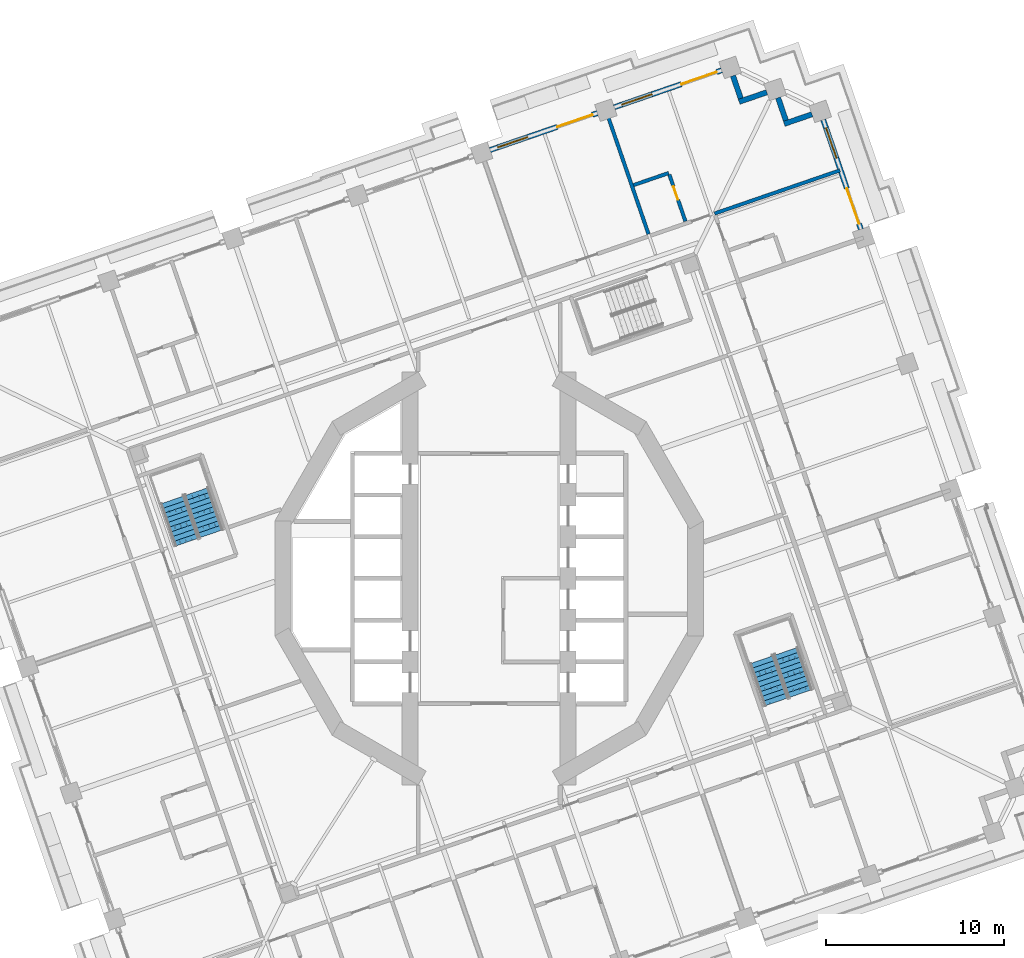
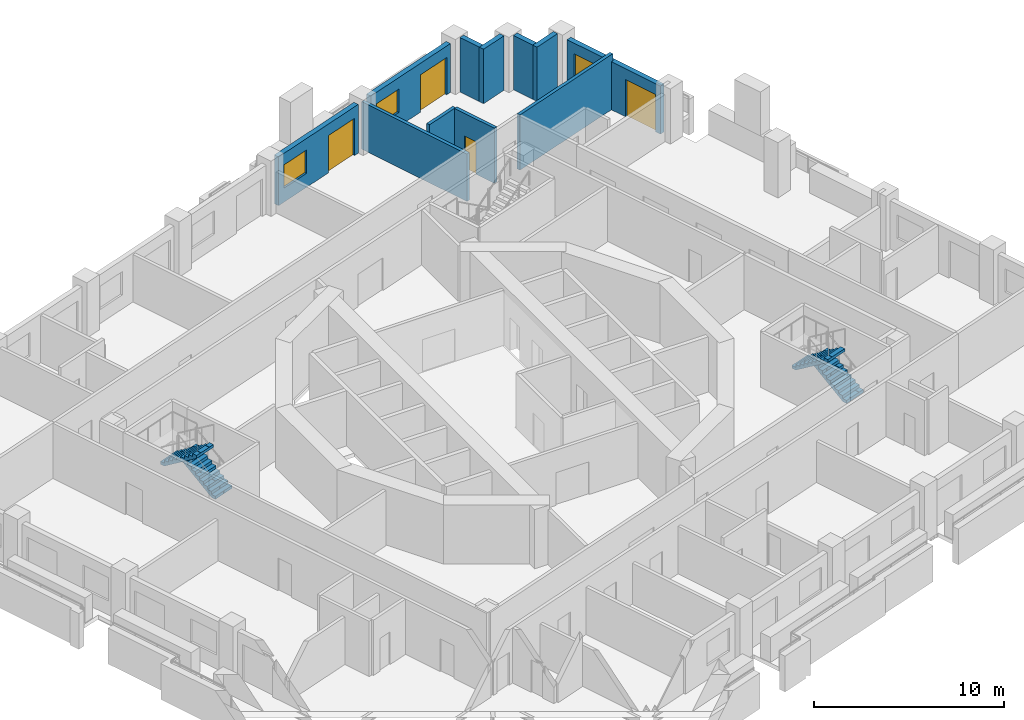
# One storey, part 10 of 19: 11 walls, 4 doors, 4 stair flights, 3 windows, 7 openings, 2 elements without a shape of their own.
"""IFC4 building model written with IfcOpenShell, lengths in metres."""

import ifcopenshell
import ifcopenshell.guid

model = None  # the IFC model being written
_history = None  # IfcOwnerHistory: only IFC2X3 demands one
_inside = {}  # id of a spatial element -> (the spatial element, [elements in it])
_under = {}  # id of a project, library or spatial element -> (it, [spatial elements below it])
_declared = {}  # id of a project -> (the project, [libraries it declares])
_typed = {}  # id of a type object -> (the type object, [elements of that type])
_made_of = {}  # id of a material, layer set ... -> (it, [elements and type objects made of it])


def new_model(schema):
    """Start an empty IFC model of exactly this schema.

    Asked for "IFC4X3", IfcOpenShell would pick the latest addendum, in which some entities
    have other attributes; the version numbers below select the first issue.
    IFC2X3 requires an IfcOwnerHistory on every rooted entity: one is made here for all.
    """
    global model, _history
    if schema == "IFC4X3":
        model = ifcopenshell.file(schema_version=(4, 3, 0, 0))
    else:
        model = ifcopenshell.file(schema=schema)
    _inside.clear()
    _under.clear()
    _declared.clear()
    _typed.clear()
    _made_of.clear()
    _history = None
    if model.schema == "IFC2X3":
        org = make("IfcOrganization", Name="unknown")
        user = make(
            "IfcPersonAndOrganization",
            ThePerson=make("IfcPerson", FamilyName="unknown"),
            TheOrganization=org,
        )
        app = make(
            "IfcApplication",
            ApplicationDeveloper=org,
            Version="unknown",
            ApplicationFullName="unknown",
            ApplicationIdentifier="unknown",
        )
        _history = make(
            "IfcOwnerHistory",
            OwningUser=user,
            OwningApplication=app,
            ChangeAction="ADDED",
            CreationDate=0,
        )
    return model


def make(cls, **values):
    """One entity of the class cls with the attributes given. An attribute that is None is left unset."""
    return model.create_entity(
        cls, **{name: value for name, value in values.items() if value is not None}
    )


def rooted(cls, **values):
    """An entity with a GlobalId (a new one), such as an element, a storey or a relation."""
    return make(cls, GlobalId=ifcopenshell.guid.new(), OwnerHistory=_history, **values)


def si_unit(unit_type, name, prefix=None):
    """IfcSIUnit, for example si_unit("LENGTHUNIT", "METRE", prefix="MILLI")."""
    return make("IfcSIUnit", UnitType=unit_type, Prefix=prefix, Name=name)


def assignment(units):
    """IfcUnitAssignment: the units of a project."""
    return None if units is None else make("IfcUnitAssignment", Units=units)


def point(xyz):
    """IfcCartesianPoint."""
    return None if xyz is None else make("IfcCartesianPoint", Coordinates=xyz)


def direction(xyz):
    """IfcDirection."""
    return None if xyz is None else make("IfcDirection", DirectionRatios=xyz)


def frame(location, z_axis=None, x_axis=None):
    """IfcAxis2Placement3D, a coordinate frame: its origin and axes. An axis left out is left unset."""
    return make(
        "IfcAxis2Placement3D",
        Location=point(location),
        Axis=direction(z_axis),
        RefDirection=direction(x_axis),
    )


def frame_2d(location, x_axis=None):
    """IfcAxis2Placement2D, a coordinate frame in the plane: its origin and x axis."""
    return make(
        "IfcAxis2Placement2D", Location=point(location), RefDirection=direction(x_axis)
    )


def origin():
    """The frame at (0, 0, 0) with its axes left unset."""
    return frame((0.0, 0.0, 0.0))


def place(relative_to, where):
    """IfcLocalPlacement: puts the frame where relative to a parent placement (None: the world)."""
    return make(
        "IfcLocalPlacement", PlacementRelTo=relative_to, RelativePlacement=where
    )


def context(
    kind, dimensions, precision=None, world=None, true_north=None, identifier=None
):
    """IfcGeometricRepresentationContext, for example the 3D "Model" context."""
    return make(
        "IfcGeometricRepresentationContext",
        ContextIdentifier=identifier,
        ContextType=kind,
        CoordinateSpaceDimension=dimensions,
        Precision=precision,
        WorldCoordinateSystem=world,
        TrueNorth=true_north,
    )


def subcontext(parent, identifier, kind, view, scale=None):
    """IfcGeometricRepresentationSubContext, for example "Body" below "Model"."""
    return make(
        "IfcGeometricRepresentationSubContext",
        ContextIdentifier=identifier,
        ContextType=kind,
        ParentContext=parent,
        TargetScale=scale,
        TargetView=view,
    )


def project(units=None, contexts=None):
    """IfcProject with its units and contexts."""
    return rooted(
        "IfcProject",
        Name="project",
        RepresentationContexts=contexts,
        UnitsInContext=assignment(units),
    )


def spatial(cls, under=None, at=None, **own):
    """A site, building, storey or space (cls), placed at a placement, below another one or the project."""
    s = rooted(cls, ObjectPlacement=at, **own)
    if under is not None:
        _under.setdefault(under.id(), (under, []))[1].append(s)
    return s


def polyline(points):
    """IfcPolyline through the points."""
    return make("IfcPolyline", Points=[point(p) for p in points])


def profile(cls, at=None, kind="AREA", **sizes):
    """A parametric profile (cls). Its sizes go by their IFC names, for example OverallWidth=200.0."""
    return make(cls, ProfileType=kind, Position=at, **sizes)


def rectangle(**sizes):
    """IfcRectangleProfileDef."""
    return profile("IfcRectangleProfileDef", **sizes)


def outline(outer, holes=None, kind="AREA"):
    """IfcArbitraryClosedProfileDef: a profile drawn as a closed curve; with holes, ...WithVoids."""
    if holes is None:
        return make("IfcArbitraryClosedProfileDef", ProfileType=kind, OuterCurve=outer)
    return make(
        "IfcArbitraryProfileDefWithVoids",
        ProfileType=kind,
        OuterCurve=outer,
        InnerCurves=holes,
    )


def extrude(swept, where, along, depth):
    """IfcExtrudedAreaSolid: the profile swept, set in the frame where, extruded along a direction by depth."""
    return make(
        "IfcExtrudedAreaSolid",
        SweptArea=swept,
        Position=where,
        ExtrudedDirection=direction(along),
        Depth=depth,
    )


def shape(context_of_items, identifier, shape_type, items):
    """IfcShapeRepresentation: the items that make up one representation, for example the "Body"."""
    return make(
        "IfcShapeRepresentation",
        ContextOfItems=context_of_items,
        RepresentationIdentifier=identifier,
        RepresentationType=shape_type,
        Items=items,
    )


def material(Name=None, Category=None):
    """IfcMaterial."""
    return make("IfcMaterial", Name=Name, Category=Category)


def layer(
    of_material, thickness, ventilated=None, Name=None, Category=None, Priority=None
):
    """IfcMaterialLayer: one layer of a wall or slab, of a material (None: an air gap)."""
    return make(
        "IfcMaterialLayer",
        Material=of_material,
        LayerThickness=thickness,
        IsVentilated=ventilated,
        Name=Name,
        Category=Category,
        Priority=Priority,
    )


def layer_set(layers, Name=None):
    """IfcMaterialLayerSet."""
    return make("IfcMaterialLayerSet", MaterialLayers=layers, LayerSetName=Name)


def made_of(thing, what):
    """Note that an element or type object is made of a material, layer set ...; save() writes the relation."""
    if what is not None:
        _made_of.setdefault(what.id(), (what, []))[1].append(thing)
    return thing


def type_object(cls, material=None, **own):
    """A type object (cls), such as IfcWallType, which elements share."""
    return made_of(rooted(cls, **own), material)


def element(
    cls,
    number,
    at=None,
    inside=None,
    cuts=None,
    type_object=None,
    material=None,
    context=None,
    identifier="Body",
    shape_type=None,
    held_by="IfcProductDefinitionShape",
    body=None,
    shapes=None,
    **own,
):
    """One element of the class cls, such as IfcWall. Its Tag is "e" and its number.

    at: its placement. inside: the storey or other place that contains it. cuts: it is an
    opening in that element (IfcRelVoidsElement). A single representation is given by context,
    identifier, shape_type and body (its items); several are given by shapes. held_by: the class
    of the entity that holds the representations. save() writes the other relations.
    """
    e = rooted(cls, Tag="e%d" % number, ObjectPlacement=at, **own)
    if body is not None:
        shapes = [shape(context, identifier, shape_type, body)]
    if shapes is not None:
        e.Representation = make(held_by, Representations=shapes)
    if inside is not None:
        _inside.setdefault(inside.id(), (inside, []))[1].append(e)
    if cuts is not None:
        rooted(
            "IfcRelVoidsElement", RelatingBuildingElement=cuts, RelatedOpeningElement=e
        )
    if type_object is not None:
        _typed.setdefault(type_object.id(), (type_object, []))[1].append(e)
    return made_of(e, material)


def fill(opening, filler):
    """IfcRelFillsElement: the door or window that sits in an opening."""
    return rooted(
        "IfcRelFillsElement",
        RelatingOpeningElement=opening,
        RelatedBuildingElement=filler,
    )


def aggregate(whole, parts):
    """IfcRelAggregates: a whole, such as a stair, and the parts it consists of."""
    return rooted("IfcRelAggregates", RelatingObject=whole, RelatedObjects=parts)


def save(model, path):
    """Write the relations noted so far, then the file.

    IfcRelAggregates (storeys below a building ...), IfcRelContainedInSpatialStructure (elements
    in a storey), IfcRelDefinesByType, IfcRelAssociatesMaterial and IfcRelDeclares: one each for
    every whole, place, type object, material and project.
    """
    for whole, parts in _under.values():
        aggregate(whole, parts)
    for where, things in _inside.values():
        rooted(
            "IfcRelContainedInSpatialStructure",
            RelatedElements=things,
            RelatingStructure=where,
        )
    for kind, things in _typed.values():
        rooted("IfcRelDefinesByType", RelatedObjects=things, RelatingType=kind)
    for what, things in _made_of.values():
        rooted("IfcRelAssociatesMaterial", RelatedObjects=things, RelatingMaterial=what)
    for by, libraries in _declared.values():
        rooted("IfcRelDeclares", RelatingContext=by, RelatedDefinitions=libraries)
    model.write(path)


model = new_model("IFC4")

# Units and contexts
model_context = context("Model", 3, precision=1e-05, world=origin(), true_north=direction((0.0, 1.0)))
body_context = subcontext(model_context, "Body", "Model", "MODEL_VIEW")
ifc_project = project(units=[si_unit("LENGTHUNIT", "METRE"), si_unit("AREAUNIT", "SQUARE_METRE"), si_unit("VOLUMEUNIT", "CUBIC_METRE"), si_unit("PLANEANGLEUNIT", "RADIAN"), si_unit("MASSUNIT", "GRAM", prefix="KILO")], contexts=[model_context])

# Site, building, storey
site_placement = place(None, origin())
site = spatial("IfcSite", under=ifc_project, at=site_placement, CompositionType="ELEMENT")
building_placement = place(site_placement, origin())
building = spatial("IfcBuilding", under=site, at=building_placement, Name="Cantera Rosa Tower", CompositionType="ELEMENT")
storey_placement = place(building_placement, frame((0.0, 0.0, 123.10009765625)))
storey = spatial("IfcBuildingStorey", under=building, at=storey_placement, Name="L25", CompositionType="ELEMENT", Elevation=123.10009765625)

# Walls
ifc_material_1 = material(Name="Hollow clay masonry with cantera stone cladding", Category="masonry")
ifc_layer_1 = layer(ifc_material_1, 0.300048828125)
ifc_layer_set_1 = layer_set([ifc_layer_1], Name="EW-LOGGIA 300")
wall_type_1 = type_object("IfcWallType", Name="EW-LOGGIA 300", PredefinedType="SOLIDWALL", material=ifc_layer_set_1)
wall_1_placement = place(storey_placement, frame((18.17919921875, 26.142822265625, 0.0), z_axis=(0.0, 0.0, 1.0), x_axis=(-0.945530119553, -0.32553462645, 0.0)))
element("IfcWall", 1, at=wall_1_placement, inside=storey, type_object=wall_type_1, Name="EN-L25-W06a", PredefinedType="SOLIDWALL", context=body_context, shape_type="SweptSolid", body=[
    extrude(rectangle(XDim=1.64990234375, YDim=0.300048828125, at=frame_2d((0.824951171875, 0.0))), origin(), (0.0, 0.0, 1.0), 3.5),
])
wall_2_placement = place(storey_placement, frame((16.7119140625, 25.79638671875, 0.0), z_axis=(0.0, 0.0, 1.0), x_axis=(-0.325544748006, 0.945526634763, 0.0)))
element("IfcWall", 2, at=wall_2_placement, inside=storey, type_object=wall_type_1, Name="EN-L25-W06b", PredefinedType="SOLIDWALL", context=body_context, shape_type="SweptSolid", body=[
    extrude(rectangle(XDim=1.349853515625, YDim=0.300048828125, at=frame_2d((0.6748046875, 0.0))), origin(), (0.0, 0.0, 1.0), 3.5),
])
wall_3_placement = place(storey_placement, frame((15.636962890625, 27.3828125, 0.0), z_axis=(0.0, 0.0, 1.0), x_axis=(-0.945484566827, -0.325666906351, 0.0)))
element("IfcWall", 3, at=wall_3_placement, inside=storey, type_object=wall_type_1, Name="EN-L25-W07a", PredefinedType="SOLIDWALL", context=body_context, shape_type="SweptSolid", body=[
    extrude(rectangle(XDim=1.64990234375, YDim=0.300048828125, at=frame_2d((0.824951171875, 0.0))), origin(), (0.0, 0.0, 1.0), 3.5),
])
wall_4_placement = place(storey_placement, frame((14.169921875, 27.0361328125, 0.0), z_axis=(0.0, 0.0, 1.0), x_axis=(-0.325650742363, 0.945490134268, 0.0)))
element("IfcWall", 4, at=wall_4_placement, inside=storey, type_object=wall_type_1, Name="EN-L25-W07b", PredefinedType="SOLIDWALL", context=body_context, shape_type="SweptSolid", body=[
    extrude(rectangle(XDim=1.35009765625, YDim=0.300048828125, at=frame_2d((0.675048828125, 0.0))), origin(), (0.0, 0.0, 1.0), 3.5),
])

# Wall, openings, window, door
ifc_material_2 = material(Name="Hollow clay masonry with cantera stone cladding", Category="masonry")
ifc_layer_2 = layer(ifc_material_2, 0.300048828125)
ifc_layer_set_2 = layer_set([ifc_layer_2], Name="EW-LOGGIA 300 H3090")
wall_type_2 = type_object("IfcWallType", Name="EW-LOGGIA 300 H3090", PredefinedType="SOLIDWALL", material=ifc_layer_set_2)
wall_5_placement = place(storey_placement, frame((20.9375, 19.668212890625, 0.0), z_axis=(0.0, 0.0, 1.0), x_axis=(-0.325592517631, 0.945510186335, 0.0)))
wall_5 = element("IfcWall", 5, at=wall_5_placement, inside=storey, type_object=wall_type_2, Name="EN-L25-W05", PredefinedType="SOLIDWALL", context=body_context, shape_type="SweptSolid", body=[
    extrude(rectangle(XDim=6.519775390625, YDim=0.300048828125, at=frame_2d((3.259765625, 0.0))), origin(), (0.0, 0.0, 1.0), 3.08984375),
])
opening_1_placement = place(wall_5_placement, frame((0.330078125, 0.0, 0.0)))
opening_1 = element("IfcOpeningElement", 6, at=opening_1_placement, cuts=wall_5, Name="Opening L25-TD05", PredefinedType="OPENING", context=body_context, shape_type="SweptSolid", body=[
    extrude(rectangle(XDim=2.10009765625, YDim=2.39990234375, at=frame_2d((1.050048828125, 1.199951171875))), frame((0.0, 0.159912109375, 0.0), z_axis=(0.0, -1.0, 0.0), x_axis=(1.0, 0.0, 0.0)), (0.0, 0.0, 1.0), 0.320068359375),
])
opening_2_placement = place(wall_5_placement, frame((4.239990234375, 0.0, 0.89990234375)))
opening_2 = element("IfcOpeningElement", 7, at=opening_2_placement, cuts=wall_5, Name="Opening L25-W06", PredefinedType="OPENING", context=body_context, shape_type="SweptSolid", body=[
    extrude(rectangle(XDim=1.800048828125, YDim=1.5, at=frame_2d((0.89990234375, 0.75))), frame((0.0, 0.159912109375, 0.0), z_axis=(0.0, -1.0, 0.0), x_axis=(1.0, 0.0, 0.0)), (0.0, 0.0, 1.0), 0.320068359375),
])
ifc_material_3 = material(Name="Aluminium frame with clear glass", Category="aluminium")
window_type = type_object("IfcWindowType", Name="Hotel room window 1800x1500", PartitioningType="DOUBLE_PANEL_VERTICAL", PredefinedType="WINDOW", material=ifc_material_3)
window_1_placement = place(opening_2_placement, origin())
window_1 = element("IfcWindow", 8, at=window_1_placement, inside=storey, type_object=window_type, Name="WINDOW L25-W06", OverallHeight=1.5, OverallWidth=1.800048828125, PartitioningType="SINGLE_PANEL", PredefinedType="WINDOW", context=body_context, shape_type="SweptSolid", body=[
    extrude(rectangle(XDim=1.800048828125, YDim=1.5, at=frame_2d((0.89990234375, 0.75))), frame((0.0, 0.030029296875, 0.0), z_axis=(0.0, -1.0, 0.0), x_axis=(1.0, 0.0, 0.0)), (0.0, 0.0, 1.0), 0.06005859375),
])
fill(opening_2, window_1)
ifc_material_4 = material(Name="Aluminium frame with clear glass", Category="aluminium")
door_type_1 = type_object("IfcDoorType", Name="TD-H 2100x2400", OperationType="NOTDEFINED", PredefinedType="DOOR", material=ifc_material_4)
door_1_placement = place(opening_1_placement, origin())
door_1 = element("IfcDoor", 9, at=door_1_placement, inside=storey, type_object=door_type_1, Name="LOGGIA DOOR L25-TD05", OperationType="SLIDING_TO_LEFT", OverallHeight=2.39990234375, OverallWidth=2.10009765625, PredefinedType="DOOR", context=body_context, shape_type="SweptSolid", body=[
    extrude(rectangle(XDim=2.10009765625, YDim=2.39990234375, at=frame_2d((1.050048828125, 1.199951171875))), frame((0.0, 0.02490234375, 0.0), z_axis=(0.0, -1.0, 0.0), x_axis=(1.0, 0.0, 0.0)), (0.0, 0.0, 1.0), 0.050048828125),
])
fill(opening_1, door_1)

ifc_material_5 = material(Name="Hollow clay masonry with cantera stone cladding", Category="masonry")
ifc_layer_3 = layer(ifc_material_5, 0.300048828125)
ifc_layer_set_3 = layer_set([ifc_layer_3], Name="EW-LOGGIA 300 H3140")
wall_type_3 = type_object("IfcWallType", Name="EW-LOGGIA 300 H3140", PredefinedType="SOLIDWALL", material=ifc_layer_set_3)
wall_6_placement = place(storey_placement, frame((13.0947265625, 28.62255859375, 0.0), z_axis=(0.0, 0.0, 1.0), x_axis=(-0.945524496524, -0.325550958337, 0.0)))
wall_6 = element("IfcWall", 10, at=wall_6_placement, inside=storey, type_object=wall_type_3, Name="EN-L25-W08", PredefinedType="SOLIDWALL", context=body_context, shape_type="SweptSolid", body=[
    extrude(rectangle(XDim=6.39990234375, YDim=0.300048828125, at=frame_2d((3.199951171875, 0.0))), origin(), (0.0, 0.0, 1.0), 3.139892578125),
])
opening_3_placement = place(wall_6_placement, frame((0.300048828125, 0.0, 0.0)))
opening_3 = element("IfcOpeningElement", 11, at=opening_3_placement, cuts=wall_6, Name="Opening L25-TD07", PredefinedType="OPENING", context=body_context, shape_type="SweptSolid", body=[
    extrude(rectangle(XDim=2.10009765625, YDim=2.39990234375, at=frame_2d((1.050048828125, 1.199951171875))), frame((0.0, 0.159912109375, 0.0), z_axis=(0.0, -1.0, 0.0), x_axis=(1.0, 0.0, 0.0)), (0.0, 0.0, 1.0), 0.320068359375),
])
opening_4_placement = place(wall_6_placement, frame((4.14990234375, 0.0, 0.89990234375)))
opening_4 = element("IfcOpeningElement", 12, at=opening_4_placement, cuts=wall_6, Name="Opening L25-W08", PredefinedType="OPENING", context=body_context, shape_type="SweptSolid", body=[
    extrude(rectangle(XDim=1.800048828125, YDim=1.5, at=frame_2d((0.89990234375, 0.75))), frame((0.0, 0.159912109375, 0.0), z_axis=(0.0, -1.0, 0.0), x_axis=(1.0, 0.0, 0.0)), (0.0, 0.0, 1.0), 0.320068359375),
])
window_2_placement = place(opening_4_placement, origin())
window_2 = element("IfcWindow", 13, at=window_2_placement, inside=storey, type_object=window_type, Name="WINDOW L25-W08", OverallHeight=1.5, OverallWidth=1.800048828125, PartitioningType="SINGLE_PANEL", PredefinedType="WINDOW", context=body_context, shape_type="SweptSolid", body=[
    extrude(rectangle(XDim=1.800048828125, YDim=1.5, at=frame_2d((0.89990234375, 0.75))), frame((0.0, 0.030029296875, 0.0), z_axis=(0.0, -1.0, 0.0), x_axis=(1.0, 0.0, 0.0)), (0.0, 0.0, 1.0), 0.06005859375),
])
fill(opening_4, window_2)
door_2_placement = place(opening_3_placement, origin())
door_2 = element("IfcDoor", 14, at=door_2_placement, inside=storey, type_object=door_type_1, Name="LOGGIA DOOR L25-TD07", OperationType="SLIDING_TO_LEFT", OverallHeight=2.39990234375, OverallWidth=2.10009765625, PredefinedType="DOOR", context=body_context, shape_type="SweptSolid", body=[
    extrude(rectangle(XDim=2.10009765625, YDim=2.39990234375, at=frame_2d((1.050048828125, 1.199951171875))), frame((0.0, 0.02490234375, 0.0), z_axis=(0.0, -1.0, 0.0), x_axis=(1.0, 0.0, 0.0)), (0.0, 0.0, 1.0), 0.050048828125),
])
fill(opening_3, door_2)

wall_7_placement = place(storey_placement, frame((6.097900390625, 26.21337890625, 0.0), z_axis=(0.0, 0.0, 1.0), x_axis=(-0.945524496524, -0.325550958337, 0.0)))
wall_7 = element("IfcWall", 15, at=wall_7_placement, inside=storey, type_object=wall_type_3, Name="EN-L25-W09", PredefinedType="SOLIDWALL", context=body_context, shape_type="SweptSolid", body=[
    extrude(rectangle(XDim=6.39990234375, YDim=0.300048828125, at=frame_2d((3.199951171875, 0.0))), origin(), (0.0, 0.0, 1.0), 3.139892578125),
])
opening_5_placement = place(wall_7_placement, frame((0.300048828125, 0.0, 0.0)))
opening_5 = element("IfcOpeningElement", 16, at=opening_5_placement, cuts=wall_7, Name="Opening L25-TD09", PredefinedType="OPENING", context=body_context, shape_type="SweptSolid", body=[
    extrude(rectangle(XDim=2.10009765625, YDim=2.39990234375, at=frame_2d((1.050048828125, 1.199951171875))), frame((0.0, 0.159912109375, 0.0), z_axis=(0.0, -1.0, 0.0), x_axis=(1.0, 0.0, 0.0)), (0.0, 0.0, 1.0), 0.320068359375),
])
opening_6_placement = place(wall_7_placement, frame((4.14990234375, 0.0, 0.89990234375)))
opening_6 = element("IfcOpeningElement", 17, at=opening_6_placement, cuts=wall_7, Name="Opening L25-W10", PredefinedType="OPENING", context=body_context, shape_type="SweptSolid", body=[
    extrude(rectangle(XDim=1.800048828125, YDim=1.5, at=frame_2d((0.89990234375, 0.75))), frame((0.0, 0.159912109375, 0.0), z_axis=(0.0, -1.0, 0.0), x_axis=(1.0, 0.0, 0.0)), (0.0, 0.0, 1.0), 0.320068359375),
])
window_3_placement = place(opening_6_placement, origin())
window_3 = element("IfcWindow", 18, at=window_3_placement, inside=storey, type_object=window_type, Name="WINDOW L25-W10", OverallHeight=1.5, OverallWidth=1.800048828125, PartitioningType="SINGLE_PANEL", PredefinedType="WINDOW", context=body_context, shape_type="SweptSolid", body=[
    extrude(rectangle(XDim=1.800048828125, YDim=1.5, at=frame_2d((0.89990234375, 0.75))), frame((0.0, 0.030029296875, 0.0), z_axis=(0.0, -1.0, 0.0), x_axis=(1.0, 0.0, 0.0)), (0.0, 0.0, 1.0), 0.06005859375),
])
fill(opening_6, window_3)
door_3_placement = place(opening_5_placement, origin())
door_3 = element("IfcDoor", 19, at=door_3_placement, inside=storey, type_object=door_type_1, Name="LOGGIA DOOR L25-TD09", OperationType="SLIDING_TO_LEFT", OverallHeight=2.39990234375, OverallWidth=2.10009765625, PredefinedType="DOOR", context=body_context, shape_type="SweptSolid", body=[
    extrude(rectangle(XDim=2.10009765625, YDim=2.39990234375, at=frame_2d((1.050048828125, 1.199951171875))), frame((0.0, 0.02490234375, 0.0), z_axis=(0.0, -1.0, 0.0), x_axis=(1.0, 0.0, 0.0)), (0.0, 0.0, 1.0), 0.050048828125),
])
fill(opening_5, door_3)

# Wall
ifc_material_6 = material(Name="Gypsum board partition")
ifc_layer_4 = layer(ifc_material_6, 0.199951171875)
ifc_layer_set_4 = layer_set([ifc_layer_4], Name="PARTITION 200 H3550")
wall_type_4 = type_object("IfcWallType", Name="PARTITION 200 H3550", PredefinedType="PARTITIONING", material=ifc_layer_set_4)
wall_8_placement = place(storey_placement, frame((8.13037109375, 22.154052734375, 0.0), z_axis=(0.0, 0.0, 1.0), x_axis=(0.945533479579, 0.32552486694, 0.0)))
element("IfcWall", 20, at=wall_8_placement, inside=storey, type_object=wall_type_4, Name="PARTITION L25-071", PredefinedType="PARTITIONING", context=body_context, shape_type="SweptSolid", body=[
    extrude(rectangle(XDim=2.099853515625, YDim=0.199951171875, at=frame_2d((1.0498046875, 0.0))), origin(), (0.0, 0.0, 1.0), 3.5498046875),
])

# Wall, opening, door
wall_9_placement = place(storey_placement, frame((10.1484375, 22.7431640625, 0.0), z_axis=(0.0, 0.0, 1.0), x_axis=(0.325617188453, -0.945501690418, 0.0)))
wall_9 = element("IfcWall", 21, at=wall_9_placement, inside=storey, type_object=wall_type_4, Name="PARTITION L25-072", PredefinedType="PARTITIONING", context=body_context, shape_type="SweptSolid", body=[
    extrude(rectangle(XDim=2.7802734375, YDim=0.199951171875, at=frame_2d((1.39013671875, 0.0))), origin(), (0.0, 0.0, 1.0), 3.5498046875),
])
opening_7_placement = place(wall_9_placement, frame((0.699951171875, 0.0, 0.0)))
opening_7 = element("IfcOpeningElement", 22, at=opening_7_placement, cuts=wall_9, Name="Opening L25-025", PredefinedType="OPENING", context=body_context, shape_type="SweptSolid", body=[
    extrude(rectangle(XDim=0.800048828125, YDim=2.10009765625, at=frame_2d((0.39990234375, 1.050048828125))), frame((0.0, 0.10986328125, 0.0), z_axis=(0.0, -1.0, 0.0), x_axis=(1.0, 0.0, 0.0)), (0.0, 0.0, 1.0), 0.219970703125),
])
ifc_material_7 = material(Name="Timber door leaf", Category="wood")
door_type_2 = type_object("IfcDoorType", Name="BATHROOM DOOR 800x2100", OperationType="NOTDEFINED", PredefinedType="DOOR", material=ifc_material_7)
door_4_placement = place(opening_7_placement, origin())
door_4 = element("IfcDoor", 23, at=door_4_placement, inside=storey, type_object=door_type_2, Name="DOOR L25-025", OperationType="NOTDEFINED", OverallHeight=2.10009765625, OverallWidth=0.800048828125, PredefinedType="DOOR", context=body_context, shape_type="SweptSolid", body=[
    extrude(rectangle(XDim=0.800048828125, YDim=2.10009765625, at=frame_2d((0.39990234375, 1.050048828125))), frame((0.0, 0.02490234375, 0.0), z_axis=(0.0, -1.0, 0.0), x_axis=(1.0, 0.0, 0.0)), (0.0, 0.0, 1.0), 0.050048828125),
])
fill(opening_7, door_4)

# Walls
ifc_material_8 = material(Name="Gypsum board partition")
ifc_layer_5 = layer(ifc_material_8, 0.199951171875)
ifc_layer_set_5 = layer_set([ifc_layer_5], Name="PARTY WALL 200 H3050")
wall_type_5 = type_object("IfcWallType", Name="PARTY WALL 200 H3050", PredefinedType="PARTITIONING", material=ifc_layer_set_5)
wall_10_placement = place(storey_placement, frame((6.58056640625, 26.347900390625, 0.0), z_axis=(0.0, 0.0, 1.0), x_axis=(0.325549451152, -0.945525015457, 0.0)))
element("IfcWall", 24, at=wall_10_placement, inside=storey, type_object=wall_type_5, Name="PARTY WALL L25-064", PredefinedType="PARTITIONING", context=body_context, shape_type="SweptSolid", body=[
    extrude(rectangle(XDim=7.35009765625, YDim=0.199951171875, at=frame_2d((3.675048828125, 0.0))), origin(), (0.0, 0.0, 1.0), 3.0498046875),
])
ifc_material_9 = material(Name="Gypsum board partition")
ifc_layer_6 = layer(ifc_material_9, 0.199951171875)
ifc_layer_set_6 = layer_set([ifc_layer_6], Name="PARTY WALL 200 H3550")
wall_type_6 = type_object("IfcWallType", Name="PARTY WALL 200 H3550", PredefinedType="PARTITIONING", material=ifc_layer_set_6)
wall_11_placement = place(storey_placement, frame((12.699951171875, 20.5546875, 0.0), z_axis=(0.0, 0.0, 1.0), x_axis=(0.945522578269, 0.325556529628, 0.0)))
element("IfcWall", 25, at=wall_11_placement, inside=storey, type_object=wall_type_6, Name="PARTY WALL L25-079", PredefinedType="PARTITIONING", context=body_context, shape_type="SweptSolid", body=[
    extrude(rectangle(XDim=7.469970703125, YDim=0.199951171875, at=frame_2d((3.73486328125, 0.0))), origin(), (0.0, 0.0, 1.0), 3.5498046875),
])

# Stair, stair flights
ifc_material_10 = material(Name="Concrete C35/45", Category="concrete")
stair_type = type_object("IfcStairType", Name="EXIT STAIR 1350 DOGLEG", PredefinedType="HALF_TURN_STAIR", material=ifc_material_10)
stair_1_placement = place(storey_placement, origin())
stair_1 = element("IfcStair", 26, at=stair_1_placement, inside=storey, type_object=stair_type, Name="L25 ST-22", PredefinedType="HALF_TURN_STAIR")
ifc_material_11 = material(Name="Concrete C35/45", Category="concrete")
stair_flight_type = type_object("IfcStairFlightType", Name="STAIR FLIGHT 1350 R20x190", PredefinedType="STRAIGHT", material=ifc_material_11)
stair_flight_1_placement = place(storey_placement, frame((-15.635009765625, 2.5205078125, 0.0), z_axis=(0.0, 0.0, 1.0), x_axis=(-0.325568154457, 0.945518575599, 0.0)))
stair_flight_1 = element("IfcStairFlight", 27, at=stair_flight_1_placement, type_object=stair_flight_type, Name="ST-22 flight 1", NumberOfRisers=10, NumberOfTreads=9, PredefinedType="STRAIGHT", RiserHeight=0.19, TreadLength=0.28, context=body_context, shape_type="SweptSolid", body=[
    extrude(outline(polyline([(0.0, 0.0), (0.0, 0.18994140625), (0.280029296875, 0.18994140625), (0.280029296875, 0.3798828125), (0.56005859375, 0.3798828125), (0.56005859375, 0.570068359375), (0.840087890625, 0.570068359375), (0.840087890625, 0.760009765625), (1.1201171875, 0.760009765625), (1.1201171875, 0.949951171875), (1.39990234375, 0.949951171875), (1.39990234375, 1.139892578125), (1.679931640625, 1.139892578125), (1.679931640625, 1.330078125), (1.9599609375, 1.330078125), (1.9599609375, 1.52001953125), (2.239990234375, 1.52001953125), (2.239990234375, 1.7099609375), (2.52001953125, 1.7099609375), (2.52001953125, 1.89990234375), (2.52001953125, 1.52880859375), (0.266845703125, 0.0), (0.0, 0.0)])), frame((0.0, 0.675048828125, 0.0), z_axis=(0.0, -1.0, 0.0), x_axis=(1.0, 0.0, 0.0)), (0.0, 0.0, 1.0), 0.3359375),
    extrude(outline(polyline([(0.0, 0.0), (0.0, 0.18994140625), (0.280029296875, 0.18994140625), (0.280029296875, 0.3798828125), (0.56005859375, 0.3798828125), (0.56005859375, 0.570068359375), (0.840087890625, 0.570068359375), (0.840087890625, 0.760009765625), (1.1201171875, 0.760009765625), (1.1201171875, 0.949951171875), (1.39990234375, 0.949951171875), (1.39990234375, 1.139892578125), (1.679931640625, 1.139892578125), (1.679931640625, 1.330078125), (1.9599609375, 1.330078125), (1.9599609375, 1.52001953125), (2.239990234375, 1.52001953125), (2.239990234375, 1.7099609375), (2.52001953125, 1.7099609375), (2.52001953125, 1.89990234375), (2.52001953125, 1.52880859375), (0.266845703125, 0.0), (0.0, 0.0)])), frame((0.0, 0.337158203125, 0.0), z_axis=(0.0, -1.0, 0.0), x_axis=(1.0, 0.0, 0.0)), (0.0, 0.0, 1.0), 0.3359375),
    extrude(outline(polyline([(0.0, 0.0), (0.0, 0.18994140625), (0.280029296875, 0.18994140625), (0.280029296875, 0.3798828125), (0.56005859375, 0.3798828125), (0.56005859375, 0.570068359375), (0.840087890625, 0.570068359375), (0.840087890625, 0.760009765625), (1.1201171875, 0.760009765625), (1.1201171875, 0.949951171875), (1.39990234375, 0.949951171875), (1.39990234375, 1.139892578125), (1.679931640625, 1.139892578125), (1.679931640625, 1.330078125), (1.9599609375, 1.330078125), (1.9599609375, 1.52001953125), (2.239990234375, 1.52001953125), (2.239990234375, 1.7099609375), (2.52001953125, 1.7099609375), (2.52001953125, 1.89990234375), (2.52001953125, 1.52880859375), (0.266845703125, 0.0), (0.0, 0.0)])), frame((0.0, -0.000732421875, 0.0), z_axis=(0.0, -1.0, 0.0), x_axis=(1.0, 0.0, 0.0)), (0.0, 0.0, 1.0), 0.3359375),
    extrude(outline(polyline([(0.0, 0.0), (0.0, 0.18994140625), (0.280029296875, 0.18994140625), (0.280029296875, 0.3798828125), (0.56005859375, 0.3798828125), (0.56005859375, 0.570068359375), (0.840087890625, 0.570068359375), (0.840087890625, 0.760009765625), (1.1201171875, 0.760009765625), (1.1201171875, 0.949951171875), (1.39990234375, 0.949951171875), (1.39990234375, 1.139892578125), (1.679931640625, 1.139892578125), (1.679931640625, 1.330078125), (1.9599609375, 1.330078125), (1.9599609375, 1.52001953125), (2.239990234375, 1.52001953125), (2.239990234375, 1.7099609375), (2.52001953125, 1.7099609375), (2.52001953125, 1.89990234375), (2.52001953125, 1.52880859375), (0.266845703125, 0.0), (0.0, 0.0)])), frame((0.0, -0.338623046875, 0.0), z_axis=(0.0, -1.0, 0.0), x_axis=(1.0, 0.0, 0.0)), (0.0, 0.0, 1.0), 0.3359375),
])
stair_flight_2_placement = place(storey_placement, frame((-17.873779296875, 4.414794921875, 1.89990234375), z_axis=(0.0, 0.0, 1.0), x_axis=(0.325568154457, -0.945518575599, 0.0)))
stair_flight_2 = element("IfcStairFlight", 28, at=stair_flight_2_placement, type_object=stair_flight_type, Name="ST-22 flight 2", NumberOfRisers=10, NumberOfTreads=9, PredefinedType="STRAIGHT", RiserHeight=0.19, TreadLength=0.28, context=body_context, shape_type="SweptSolid", body=[
    extrude(outline(polyline([(0.0, 0.0), (0.0, 0.18994140625), (0.280029296875, 0.18994140625), (0.280029296875, 0.3798828125), (0.56005859375, 0.3798828125), (0.56005859375, 0.570068359375), (0.840087890625, 0.570068359375), (0.840087890625, 0.760009765625), (1.1201171875, 0.760009765625), (1.1201171875, 0.949951171875), (1.39990234375, 0.949951171875), (1.39990234375, 1.139892578125), (1.679931640625, 1.139892578125), (1.679931640625, 1.330078125), (1.9599609375, 1.330078125), (1.9599609375, 1.52001953125), (2.239990234375, 1.52001953125), (2.239990234375, 1.7099609375), (2.52001953125, 1.7099609375), (2.52001953125, 1.89990234375), (2.52001953125, 1.52880859375), (0.266845703125, 0.0), (0.0, 0.0)])), frame((0.0, 0.675048828125, 0.0), z_axis=(0.0, -1.0, 0.0), x_axis=(1.0, 0.0, 0.0)), (0.0, 0.0, 1.0), 0.3359375),
    extrude(outline(polyline([(0.0, 0.0), (0.0, 0.18994140625), (0.280029296875, 0.18994140625), (0.280029296875, 0.3798828125), (0.56005859375, 0.3798828125), (0.56005859375, 0.570068359375), (0.840087890625, 0.570068359375), (0.840087890625, 0.760009765625), (1.1201171875, 0.760009765625), (1.1201171875, 0.949951171875), (1.39990234375, 0.949951171875), (1.39990234375, 1.139892578125), (1.679931640625, 1.139892578125), (1.679931640625, 1.330078125), (1.9599609375, 1.330078125), (1.9599609375, 1.52001953125), (2.239990234375, 1.52001953125), (2.239990234375, 1.7099609375), (2.52001953125, 1.7099609375), (2.52001953125, 1.89990234375), (2.52001953125, 1.52880859375), (0.266845703125, 0.0), (0.0, 0.0)])), frame((0.0, 0.337158203125, 0.0), z_axis=(0.0, -1.0, 0.0), x_axis=(1.0, 0.0, 0.0)), (0.0, 0.0, 1.0), 0.3359375),
    extrude(outline(polyline([(0.0, 0.0), (0.0, 0.18994140625), (0.280029296875, 0.18994140625), (0.280029296875, 0.3798828125), (0.56005859375, 0.3798828125), (0.56005859375, 0.570068359375), (0.840087890625, 0.570068359375), (0.840087890625, 0.760009765625), (1.1201171875, 0.760009765625), (1.1201171875, 0.949951171875), (1.39990234375, 0.949951171875), (1.39990234375, 1.139892578125), (1.679931640625, 1.139892578125), (1.679931640625, 1.330078125), (1.9599609375, 1.330078125), (1.9599609375, 1.52001953125), (2.239990234375, 1.52001953125), (2.239990234375, 1.7099609375), (2.52001953125, 1.7099609375), (2.52001953125, 1.89990234375), (2.52001953125, 1.52880859375), (0.266845703125, 0.0), (0.0, 0.0)])), frame((0.0, -0.000732421875, 0.0), z_axis=(0.0, -1.0, 0.0), x_axis=(1.0, 0.0, 0.0)), (0.0, 0.0, 1.0), 0.3359375),
    extrude(outline(polyline([(0.0, 0.0), (0.0, 0.18994140625), (0.280029296875, 0.18994140625), (0.280029296875, 0.3798828125), (0.56005859375, 0.3798828125), (0.56005859375, 0.570068359375), (0.840087890625, 0.570068359375), (0.840087890625, 0.760009765625), (1.1201171875, 0.760009765625), (1.1201171875, 0.949951171875), (1.39990234375, 0.949951171875), (1.39990234375, 1.139892578125), (1.679931640625, 1.139892578125), (1.679931640625, 1.330078125), (1.9599609375, 1.330078125), (1.9599609375, 1.52001953125), (2.239990234375, 1.52001953125), (2.239990234375, 1.7099609375), (2.52001953125, 1.7099609375), (2.52001953125, 1.89990234375), (2.52001953125, 1.52880859375), (0.266845703125, 0.0), (0.0, 0.0)])), frame((0.0, -0.338623046875, 0.0), z_axis=(0.0, -1.0, 0.0), x_axis=(1.0, 0.0, 0.0)), (0.0, 0.0, 1.0), 0.3359375),
])
aggregate(stair_1, [stair_flight_1, stair_flight_2])

stair_2_placement = place(storey_placement, origin())
stair_2 = element("IfcStair", 29, at=stair_2_placement, inside=storey, type_object=stair_type, Name="L25 ST-23", PredefinedType="HALF_TURN_STAIR")
stair_flight_3_placement = place(storey_placement, frame((17.56494140625, -6.4794921875, 0.0), z_axis=(0.0, 0.0, 1.0), x_axis=(-0.325568154457, 0.945518575599, 0.0)))
stair_flight_3 = element("IfcStairFlight", 30, at=stair_flight_3_placement, type_object=stair_flight_type, Name="ST-23 flight 1", NumberOfRisers=10, NumberOfTreads=9, PredefinedType="STRAIGHT", RiserHeight=0.19, TreadLength=0.28, context=body_context, shape_type="SweptSolid", body=[
    extrude(outline(polyline([(0.0, 0.0), (0.0, 0.18994140625), (0.280029296875, 0.18994140625), (0.280029296875, 0.3798828125), (0.56005859375, 0.3798828125), (0.56005859375, 0.570068359375), (0.840087890625, 0.570068359375), (0.840087890625, 0.760009765625), (1.1201171875, 0.760009765625), (1.1201171875, 0.949951171875), (1.39990234375, 0.949951171875), (1.39990234375, 1.139892578125), (1.679931640625, 1.139892578125), (1.679931640625, 1.330078125), (1.9599609375, 1.330078125), (1.9599609375, 1.52001953125), (2.239990234375, 1.52001953125), (2.239990234375, 1.7099609375), (2.52001953125, 1.7099609375), (2.52001953125, 1.89990234375), (2.52001953125, 1.52880859375), (0.266845703125, 0.0), (0.0, 0.0)])), frame((0.0, 0.675048828125, 0.0), z_axis=(0.0, -1.0, 0.0), x_axis=(1.0, 0.0, 0.0)), (0.0, 0.0, 1.0), 0.3359375),
    extrude(outline(polyline([(0.0, 0.0), (0.0, 0.18994140625), (0.280029296875, 0.18994140625), (0.280029296875, 0.3798828125), (0.56005859375, 0.3798828125), (0.56005859375, 0.570068359375), (0.840087890625, 0.570068359375), (0.840087890625, 0.760009765625), (1.1201171875, 0.760009765625), (1.1201171875, 0.949951171875), (1.39990234375, 0.949951171875), (1.39990234375, 1.139892578125), (1.679931640625, 1.139892578125), (1.679931640625, 1.330078125), (1.9599609375, 1.330078125), (1.9599609375, 1.52001953125), (2.239990234375, 1.52001953125), (2.239990234375, 1.7099609375), (2.52001953125, 1.7099609375), (2.52001953125, 1.89990234375), (2.52001953125, 1.52880859375), (0.266845703125, 0.0), (0.0, 0.0)])), frame((0.0, 0.337158203125, 0.0), z_axis=(0.0, -1.0, 0.0), x_axis=(1.0, 0.0, 0.0)), (0.0, 0.0, 1.0), 0.3359375),
    extrude(outline(polyline([(0.0, 0.0), (0.0, 0.18994140625), (0.280029296875, 0.18994140625), (0.280029296875, 0.3798828125), (0.56005859375, 0.3798828125), (0.56005859375, 0.570068359375), (0.840087890625, 0.570068359375), (0.840087890625, 0.760009765625), (1.1201171875, 0.760009765625), (1.1201171875, 0.949951171875), (1.39990234375, 0.949951171875), (1.39990234375, 1.139892578125), (1.679931640625, 1.139892578125), (1.679931640625, 1.330078125), (1.9599609375, 1.330078125), (1.9599609375, 1.52001953125), (2.239990234375, 1.52001953125), (2.239990234375, 1.7099609375), (2.52001953125, 1.7099609375), (2.52001953125, 1.89990234375), (2.52001953125, 1.52880859375), (0.266845703125, 0.0), (0.0, 0.0)])), frame((0.0, -0.000732421875, 0.0), z_axis=(0.0, -1.0, 0.0), x_axis=(1.0, 0.0, 0.0)), (0.0, 0.0, 1.0), 0.3359375),
    extrude(outline(polyline([(0.0, 0.0), (0.0, 0.18994140625), (0.280029296875, 0.18994140625), (0.280029296875, 0.3798828125), (0.56005859375, 0.3798828125), (0.56005859375, 0.570068359375), (0.840087890625, 0.570068359375), (0.840087890625, 0.760009765625), (1.1201171875, 0.760009765625), (1.1201171875, 0.949951171875), (1.39990234375, 0.949951171875), (1.39990234375, 1.139892578125), (1.679931640625, 1.139892578125), (1.679931640625, 1.330078125), (1.9599609375, 1.330078125), (1.9599609375, 1.52001953125), (2.239990234375, 1.52001953125), (2.239990234375, 1.7099609375), (2.52001953125, 1.7099609375), (2.52001953125, 1.89990234375), (2.52001953125, 1.52880859375), (0.266845703125, 0.0), (0.0, 0.0)])), frame((0.0, -0.338623046875, 0.0), z_axis=(0.0, -1.0, 0.0), x_axis=(1.0, 0.0, 0.0)), (0.0, 0.0, 1.0), 0.3359375),
])
stair_flight_4_placement = place(storey_placement, frame((15.326171875, -4.585205078125, 1.89990234375), z_axis=(0.0, 0.0, 1.0), x_axis=(0.325568154457, -0.945518575599, 0.0)))
stair_flight_4 = element("IfcStairFlight", 31, at=stair_flight_4_placement, type_object=stair_flight_type, Name="ST-23 flight 2", NumberOfRisers=10, NumberOfTreads=9, PredefinedType="STRAIGHT", RiserHeight=0.19, TreadLength=0.28, context=body_context, shape_type="SweptSolid", body=[
    extrude(outline(polyline([(0.0, 0.0), (0.0, 0.18994140625), (0.280029296875, 0.18994140625), (0.280029296875, 0.3798828125), (0.56005859375, 0.3798828125), (0.56005859375, 0.570068359375), (0.840087890625, 0.570068359375), (0.840087890625, 0.760009765625), (1.1201171875, 0.760009765625), (1.1201171875, 0.949951171875), (1.39990234375, 0.949951171875), (1.39990234375, 1.139892578125), (1.679931640625, 1.139892578125), (1.679931640625, 1.330078125), (1.9599609375, 1.330078125), (1.9599609375, 1.52001953125), (2.239990234375, 1.52001953125), (2.239990234375, 1.7099609375), (2.52001953125, 1.7099609375), (2.52001953125, 1.89990234375), (2.52001953125, 1.52880859375), (0.266845703125, 0.0), (0.0, 0.0)])), frame((0.0, 0.675048828125, 0.0), z_axis=(0.0, -1.0, 0.0), x_axis=(1.0, 0.0, 0.0)), (0.0, 0.0, 1.0), 0.3359375),
    extrude(outline(polyline([(0.0, 0.0), (0.0, 0.18994140625), (0.280029296875, 0.18994140625), (0.280029296875, 0.3798828125), (0.56005859375, 0.3798828125), (0.56005859375, 0.570068359375), (0.840087890625, 0.570068359375), (0.840087890625, 0.760009765625), (1.1201171875, 0.760009765625), (1.1201171875, 0.949951171875), (1.39990234375, 0.949951171875), (1.39990234375, 1.139892578125), (1.679931640625, 1.139892578125), (1.679931640625, 1.330078125), (1.9599609375, 1.330078125), (1.9599609375, 1.52001953125), (2.239990234375, 1.52001953125), (2.239990234375, 1.7099609375), (2.52001953125, 1.7099609375), (2.52001953125, 1.89990234375), (2.52001953125, 1.52880859375), (0.266845703125, 0.0), (0.0, 0.0)])), frame((0.0, 0.337158203125, 0.0), z_axis=(0.0, -1.0, 0.0), x_axis=(1.0, 0.0, 0.0)), (0.0, 0.0, 1.0), 0.3359375),
    extrude(outline(polyline([(0.0, 0.0), (0.0, 0.18994140625), (0.280029296875, 0.18994140625), (0.280029296875, 0.3798828125), (0.56005859375, 0.3798828125), (0.56005859375, 0.570068359375), (0.840087890625, 0.570068359375), (0.840087890625, 0.760009765625), (1.1201171875, 0.760009765625), (1.1201171875, 0.949951171875), (1.39990234375, 0.949951171875), (1.39990234375, 1.139892578125), (1.679931640625, 1.139892578125), (1.679931640625, 1.330078125), (1.9599609375, 1.330078125), (1.9599609375, 1.52001953125), (2.239990234375, 1.52001953125), (2.239990234375, 1.7099609375), (2.52001953125, 1.7099609375), (2.52001953125, 1.89990234375), (2.52001953125, 1.52880859375), (0.266845703125, 0.0), (0.0, 0.0)])), frame((0.0, -0.000732421875, 0.0), z_axis=(0.0, -1.0, 0.0), x_axis=(1.0, 0.0, 0.0)), (0.0, 0.0, 1.0), 0.3359375),
    extrude(outline(polyline([(0.0, 0.0), (0.0, 0.18994140625), (0.280029296875, 0.18994140625), (0.280029296875, 0.3798828125), (0.56005859375, 0.3798828125), (0.56005859375, 0.570068359375), (0.840087890625, 0.570068359375), (0.840087890625, 0.760009765625), (1.1201171875, 0.760009765625), (1.1201171875, 0.949951171875), (1.39990234375, 0.949951171875), (1.39990234375, 1.139892578125), (1.679931640625, 1.139892578125), (1.679931640625, 1.330078125), (1.9599609375, 1.330078125), (1.9599609375, 1.52001953125), (2.239990234375, 1.52001953125), (2.239990234375, 1.7099609375), (2.52001953125, 1.7099609375), (2.52001953125, 1.89990234375), (2.52001953125, 1.52880859375), (0.266845703125, 0.0), (0.0, 0.0)])), frame((0.0, -0.338623046875, 0.0), z_axis=(0.0, -1.0, 0.0), x_axis=(1.0, 0.0, 0.0)), (0.0, 0.0, 1.0), 0.3359375),
])
aggregate(stair_2, [stair_flight_3, stair_flight_4])

save(model, "model.ifc")
